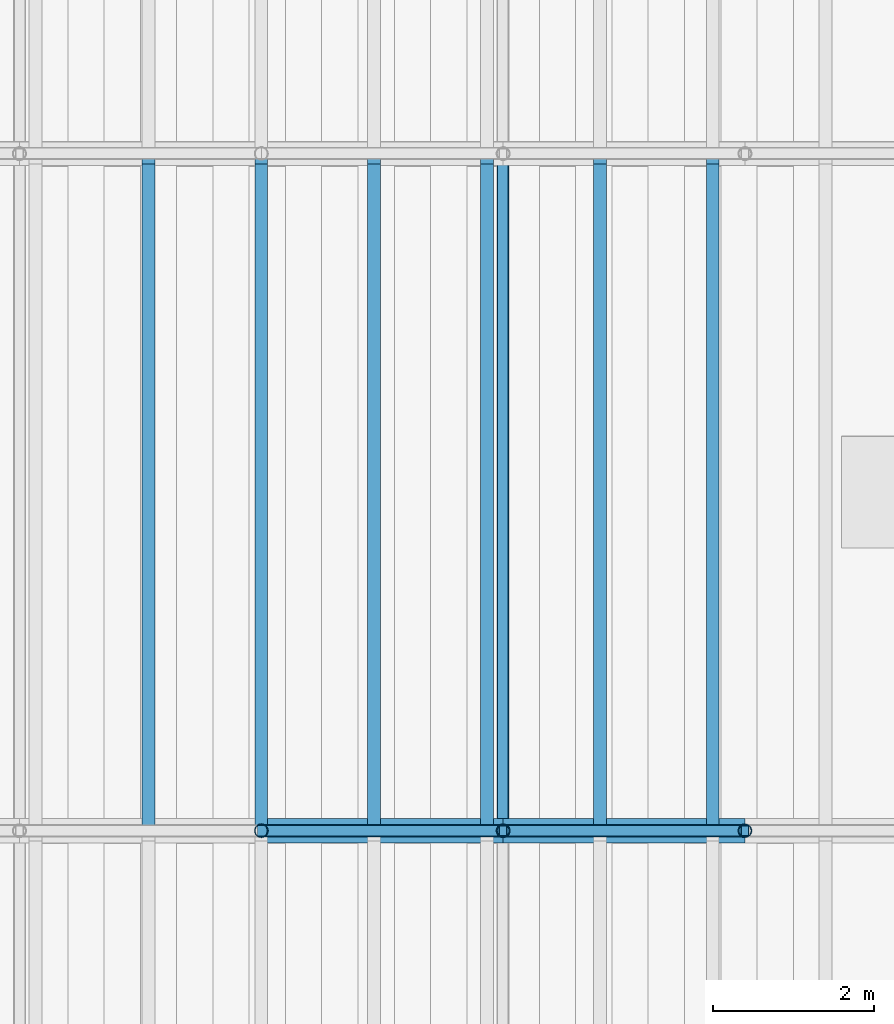
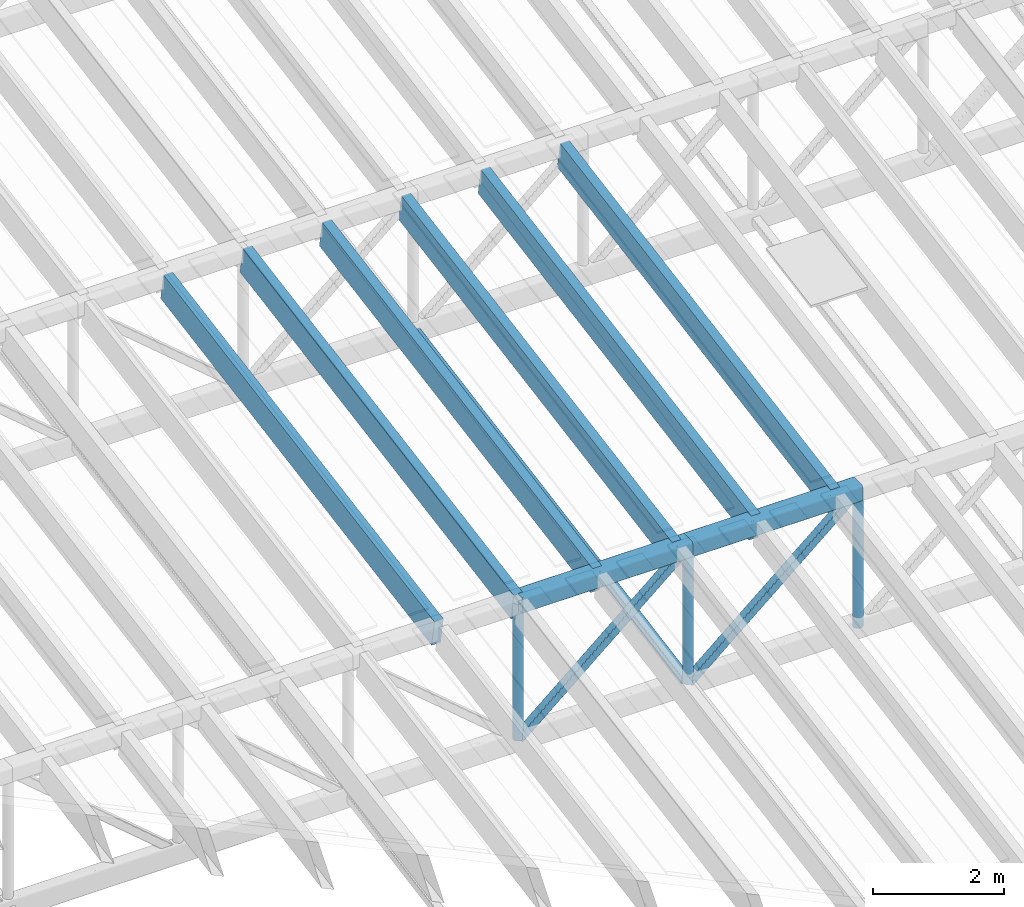
# One storey, part 20 of 91: 14 members.
"""IFC4 building model written with IfcOpenShell, lengths in metres."""

from ifc_helpers import new_model, si_unit, direction, frame, origin, origin_2d, place, context, subcontext, project, spatial, rectangle, hollow_rectangle, hollow_circle, extrude, material, material_profile, profile_set, type_object, element, save


model = new_model("IFC4")

# Units and contexts
model_context = context("Model", 3, precision=1e-05, world=origin(), true_north=direction((0.0, 1.0)))
body_context = subcontext(model_context, "Body", "Model", "MODEL_VIEW")
ifc_project = project(units=[si_unit("LENGTHUNIT", "METRE"), si_unit("AREAUNIT", "SQUARE_METRE"), si_unit("VOLUMEUNIT", "CUBIC_METRE"), si_unit("PLANEANGLEUNIT", "RADIAN"), si_unit("MASSUNIT", "GRAM", prefix="KILO")], contexts=[model_context])

# Site, building, storey
site_placement = place(None, origin())
site = spatial("IfcSite", under=ifc_project, at=site_placement, CompositionType="ELEMENT")
building_placement = place(site_placement, origin())
building = spatial("IfcBuilding", under=site, at=building_placement, Name="Almond Square Museum", CompositionType="ELEMENT")
storey_placement = place(building_placement, frame((0.0, 0.0, 30.0)))
storey = spatial("IfcBuildingStorey", under=building, at=storey_placement, Name="L05", CompositionType="ELEMENT", Elevation=30.0)

# Members
ifc_material_1 = material(Name="Glulam GL28h", Category="wood")
ifc_material_profile_1 = material_profile(ifc_material_1, rectangle(XDim=0.159912109375, YDim=0.5, at=origin_2d()))
ifc_profile_set_1 = profile_set([ifc_material_profile_1], Name="Glulam GL28h")
member_type_1 = type_object("IfcMemberType", Name="Glulam rafter GL28h 160x500", PredefinedType="RAFTER", material=ifc_profile_set_1)
for number, where, z_axis, x_axis, name in (
    (1, (126.39990234375, 75.6298828125, 10.559814453125), (0.0, 0.985027509143, 0.172397233827), (-1.0, 0.0, 0.0), "Hall rafter 4.15"),
    (2, (127.800048828125, 75.6298828125, 10.559814453125), (0.0, 0.985027509143, 0.172397233827), (-1.0, 0.0, 0.0), "Hall rafter 4.16"),
    (3, (129.199951171875, 75.6298828125, 10.559814453125), (0.0, 0.985027509143, 0.172397233827), (-1.0, 0.0, 0.0), "Hall rafter 4.17"),
    (4, (130.60009765625, 75.6298828125, 10.559814453125), (0.0, 0.985027509143, 0.172397233827), (-1.0, 0.0, 0.0), "Hall rafter 4.18"),
    (5, (132.0, 75.6298828125, 10.559814453125), (0.0, 0.985027509143, 0.172397233827), (-1.0, 0.0, 0.0), "Hall rafter 4.19"),
    (6, (133.39990234375, 75.6298828125, 10.559814453125), (0.0, 0.985027509143, 0.172397233827), (-1.0, 0.0, 0.0), "Hall rafter 4.20"),
):
    element("IfcMember", number, at=place(storey_placement, frame(where, z_axis=z_axis, x_axis=x_axis)), inside=storey, type_object=member_type_1, Name=name, PredefinedType="RAFTER", context=body_context, shape_type="SweptSolid", body=[
        extrude(rectangle(XDim=0.159912109375, YDim=0.5, at=origin_2d()), origin(), (0.0, 0.0, 1.0), 8.4091796875),
    ])
ifc_material_2 = material(Name="Structural steel S355", Category="steel")
ifc_material_profile_2 = material_profile(ifc_material_2, hollow_rectangle(XDim=0.300048828125, YDim=0.300048828125, WallThickness=0.012451171875, InnerFilletRadius=0.02490234375, OuterFilletRadius=0.03759765625, at=origin_2d()))
ifc_profile_set_2 = profile_set([ifc_material_profile_2], Name="Structural steel S355")
member_type_2 = type_object("IfcMemberType", Name="Truss chord SHS 300x300x12.5", PredefinedType="CHORD", material=ifc_profile_set_2)
for number, where, z_axis, x_axis, name in (
    (7, (127.800048828125, 75.60009765625, 10.658447265625), (1.0, 0.0, 0.0), (0.0, 1.0, 0.0), "TR-04 top chord 8"),
    (8, (130.800048828125, 75.60009765625, 10.658447265625), (1.0, 0.0, 0.0), (0.0, 1.0, 0.0), "TR-04 top chord 9"),
):
    element("IfcMember", number, at=place(storey_placement, frame(where, z_axis=z_axis, x_axis=x_axis)), inside=storey, type_object=member_type_2, Name=name, PredefinedType="CHORD", context=body_context, shape_type="SweptSolid", body=[
        extrude(hollow_rectangle(XDim=0.300048828125, YDim=0.300048828125, WallThickness=0.012451171875, InnerFilletRadius=0.02490234375, OuterFilletRadius=0.03759765625, at=origin_2d()), origin(), (0.0, 0.0, 1.0), 3.0),
    ])
ifc_material_3 = material(Name="Structural steel S355", Category="steel")
ifc_material_profile_3 = material_profile(ifc_material_3, hollow_rectangle(XDim=0.14990234375, YDim=0.14990234375, WallThickness=0.008056640625, InnerFilletRadius=0.011962890625, OuterFilletRadius=0.02001953125, at=origin_2d()))
ifc_profile_set_3 = profile_set([ifc_material_profile_3], Name="Structural steel S355")
member_type_3 = type_object("IfcMemberType", Name="Truss diagonal SHS 150x150x8", PredefinedType="BRACE", material=ifc_profile_set_3)
for number, where, z_axis, x_axis, name in (
    (9, (127.800048828125, 75.60009765625, 8.110107421875), (0.762147404437, 0.0, 0.647403532513), (0.0, 1.0, 0.0), "TR-04 diagonal 8"),
    (10, (130.800048828125, 75.60009765625, 8.110107421875), (0.762147404437, 0.0, 0.647403532513), (0.0, 1.0, 0.0), "TR-04 diagonal 9"),
):
    element("IfcMember", number, at=place(storey_placement, frame(where, z_axis=z_axis, x_axis=x_axis)), inside=storey, type_object=member_type_3, Name=name, PredefinedType="BRACE", context=body_context, shape_type="SweptSolid", body=[
        extrude(hollow_rectangle(XDim=0.14990234375, YDim=0.14990234375, WallThickness=0.008056640625, InnerFilletRadius=0.011962890625, OuterFilletRadius=0.02001953125, at=origin_2d()), origin(), (0.0, 0.0, 1.0), 3.936279296875),
    ])
ifc_material_4 = material(Name="Structural steel S355", Category="steel")
ifc_material_profile_4 = material_profile(ifc_material_4, hollow_circle(Radius=0.084228515625, WallThickness=0.008056640625, at=origin_2d()))
ifc_profile_set_4 = profile_set([ifc_material_profile_4], Name="Structural steel S355")
member_type_4 = type_object("IfcMemberType", Name="Truss post CHS 168.3x8", PredefinedType="POST", material=ifc_profile_set_4)
for number, where, z_axis, x_axis, name in (
    (11, (127.800048828125, 75.60009765625, 8.110107421875), (0.0, 0.0, 1.0), (1.0, 0.0, 0.0), "TR-04 post 8"),
    (12, (130.800048828125, 75.60009765625, 8.110107421875), (0.0, 0.0, 1.0), (1.0, 0.0, 0.0), "TR-04 post 9"),
    (13, (133.800048828125, 75.60009765625, 8.110107421875), (0.0, 0.0, 1.0), (1.0, 0.0, 0.0), "TR-04 post 10"),
):
    element("IfcMember", number, at=place(storey_placement, frame(where, z_axis=z_axis, x_axis=x_axis)), inside=storey, type_object=member_type_4, Name=name, PredefinedType="POST", context=body_context, shape_type="SweptSolid", body=[
        extrude(hollow_circle(Radius=0.084228515625, WallThickness=0.008056640625, at=origin_2d()), origin(), (0.0, 0.0, 1.0), 2.54833984375),
    ])
ifc_material_5 = material(Name="Structural steel S355", Category="steel")
ifc_material_profile_5 = material_profile(ifc_material_5, hollow_rectangle(XDim=0.14990234375, YDim=0.14990234375, WallThickness=0.008056640625, InnerFilletRadius=0.011962890625, OuterFilletRadius=0.02001953125, at=origin_2d()))
ifc_profile_set_5 = profile_set([ifc_material_profile_5], Name="Structural steel S355")
member_type_5 = type_object("IfcMemberType", Name="Truss tie SHS 150x150x8", PredefinedType="MEMBER", material=ifc_profile_set_5)
member_placement = place(storey_placement, frame((130.800048828125, 75.675048828125, 8.110107421875), z_axis=(0.0, 0.984494486924, 0.175415521596), x_axis=(-1.0, 0.0, 0.0)))
element("IfcMember", 14, at=member_placement, inside=storey, type_object=member_type_5, Name="Hall bay 4 tie 5", PredefinedType="MEMBER", context=body_context, shape_type="SweptSolid", body=[
    extrude(hollow_rectangle(XDim=0.14990234375, YDim=0.14990234375, WallThickness=0.008056640625, InnerFilletRadius=0.011962890625, OuterFilletRadius=0.02001953125, at=origin_2d()), origin(), (0.0, 0.0, 1.0), 8.3798828125),
])

save(model, "model.ifc")
